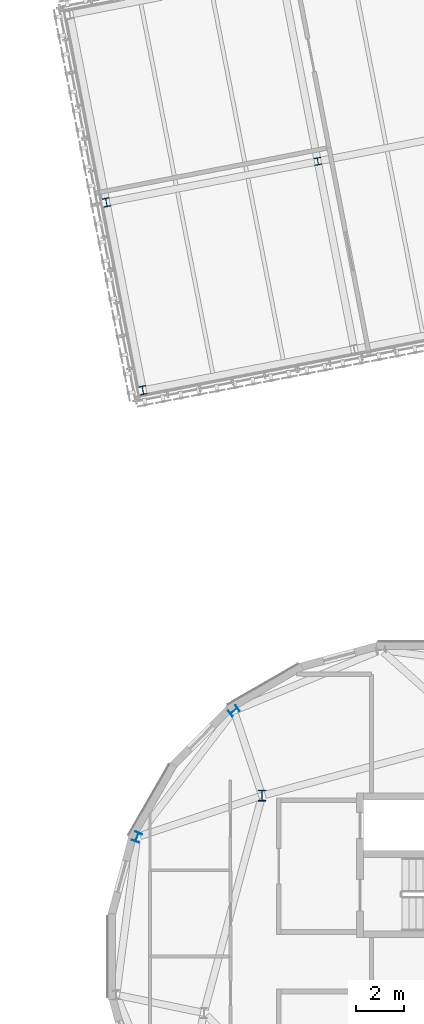
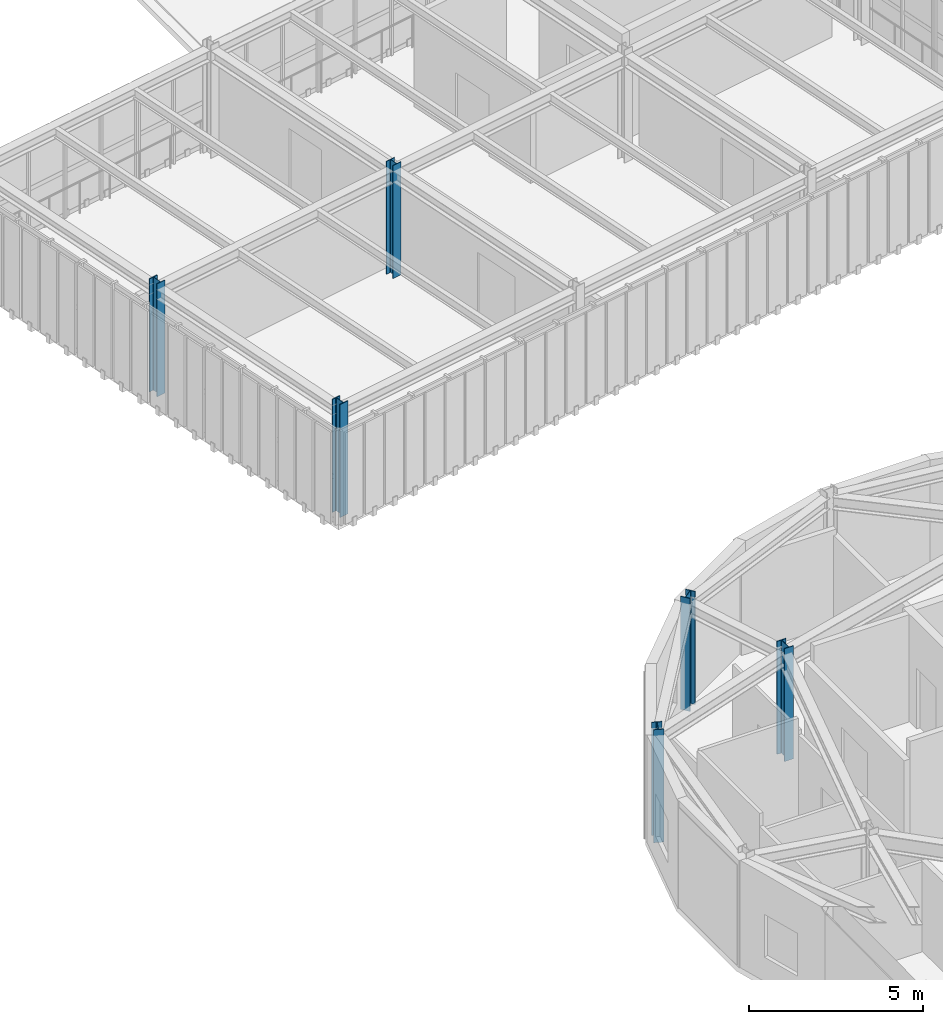
# One storey, part 4 of 44: 6 columns.
"""IFC4 building model written with IfcOpenShell, lengths in metres."""

from ifc_helpers import new_model, si_unit, direction, frame, origin, origin_2d, place, context, subcontext, project, spatial, i_section, extrude, material, material_profile, profile_set, type_object, element, save


model = new_model("IFC4")

# Units and contexts
model_context = context("Model", 3, precision=1e-05, world=origin(), true_north=direction((0.0, 1.0)))
body_context = subcontext(model_context, "Body", "Model", "MODEL_VIEW")
ifc_project = project(units=[si_unit("LENGTHUNIT", "METRE"), si_unit("AREAUNIT", "SQUARE_METRE"), si_unit("VOLUMEUNIT", "CUBIC_METRE"), si_unit("PLANEANGLEUNIT", "RADIAN"), si_unit("MASSUNIT", "GRAM", prefix="KILO")], contexts=[model_context])

# Site, building, storey
site_placement = place(None, origin())
site = spatial("IfcSite", under=ifc_project, at=site_placement, CompositionType="ELEMENT")
building_placement = place(site_placement, origin())
building = spatial("IfcBuilding", under=site, at=building_placement, Name="Varnklinge Art Gallery", CompositionType="ELEMENT")
storey_placement = place(building_placement, frame((0.0, 0.0, 13.679931640625)))
storey = spatial("IfcBuildingStorey", under=building, at=storey_placement, Name="L03", CompositionType="ELEMENT", Elevation=13.679931640625)

# Columns
ifc_material_1 = material(Name="Steel S355", Category="steel")
ifc_material_profile_1 = material_profile(ifc_material_1, i_section(OverallWidth=0.300048828125, OverallDepth=0.449951171875, WebThickness=0.013916015625, FlangeThickness=0.02587890625, FilletRadius=0.027099609375, at=origin_2d()), Name="HEB 450")
ifc_profile_set_1 = profile_set([ifc_material_profile_1], Name="Steel S355")
column_type_1 = type_object("IfcColumnType", Name="COL-06", PredefinedType="COLUMN", material=ifc_profile_set_1)
column_1_placement = place(storey_placement, frame((68.853271484375, 45.146728515625, 0.0), z_axis=(0.0, 0.0, 1.0), x_axis=(1.0, 0.0, 0.0)))
element("IfcColumn", 1, at=column_1_placement, inside=storey, type_object=column_type_1, Name="L03 Column V4CI-3", PredefinedType="COLUMN", context=body_context, shape_type="SweptSolid", body=[
    extrude(i_section(OverallWidth=0.300048828125, OverallDepth=0.449951171875, WebThickness=0.013916015625, FlangeThickness=0.02587890625, FilletRadius=0.027099609375, at=origin_2d()), origin(), (0.0, 0.0, 1.0), 3.9599609375),
])
ifc_material_2 = material(Name="Steel S355", Category="steel")
ifc_material_profile_2 = material_profile(ifc_material_2, i_section(OverallWidth=0.300048828125, OverallDepth=0.300048828125, WebThickness=0.010986328125, FlangeThickness=0.01904296875, FilletRadius=0.027099609375, at=origin_2d()), Name="HEB 300")
ifc_profile_set_2 = profile_set([ifc_material_profile_2], Name="Steel S355")
column_type_2 = type_object("IfcColumnType", Name="COL-10", PredefinedType="COLUMN", material=ifc_profile_set_2)
column_2_placement = place(storey_placement, frame((71.180908203125, 71.660400390625, 0.0), z_axis=(0.0, 0.0, 1.0), x_axis=(0.981627183448, 0.190808995377, 0.0)))
element("IfcColumn", 2, at=column_2_placement, inside=storey, type_object=column_type_2, Name="L03 Column V4BC-2-2", PredefinedType="COLUMN", context=body_context, shape_type="SweptSolid", body=[
    extrude(i_section(OverallWidth=0.300048828125, OverallDepth=0.300048828125, WebThickness=0.010986328125, FlangeThickness=0.01904296875, FilletRadius=0.027099609375, at=origin_2d()), origin(), (0.0, 0.0, 1.0), 3.9599609375),
])
ifc_material_3 = material(Name="Steel S355", Category="steel")
ifc_material_profile_3 = material_profile(ifc_material_3, i_section(OverallWidth=0.300048828125, OverallDepth=0.39990234375, WebThickness=0.013427734375, FlangeThickness=0.02392578125, FilletRadius=0.027099609375, at=origin_2d()), Name="HEB 400")
ifc_profile_set_3 = profile_set([ifc_material_profile_3], Name="Steel S355")
column_type_3 = type_object("IfcColumnType", Name="COL-E3", PredefinedType="COLUMN", material=ifc_profile_set_3)
for number, where, z_axis, x_axis, name in (
    (3, (67.677490234375, 48.694580078125, 0.0), (0.0, 0.0, 1.0), (-0.608761429009, 0.793353340291, 0.0), "L03 Column V4CP-05"),
    (4, (63.628173828125, 43.41748046875, 0.0), (0.0, 0.0, 1.0), (-0.923879532511, 0.382683432365, 0.0), "L03 Column V4CP-06"),
):
    element("IfcColumn", number, at=place(storey_placement, frame(where, z_axis=z_axis, x_axis=x_axis)), inside=storey, type_object=column_type_3, Name=name, PredefinedType="COLUMN", context=body_context, shape_type="SweptSolid", body=[
        extrude(i_section(OverallWidth=0.300048828125, OverallDepth=0.39990234375, WebThickness=0.013427734375, FlangeThickness=0.02392578125, FilletRadius=0.027099609375, at=origin_2d()), origin(), (0.0, 0.0, 1.0), 3.9599609375),
    ])
ifc_material_4 = material(Name="Steel S355", Category="steel")
ifc_material_profile_4 = material_profile(ifc_material_4, i_section(OverallWidth=0.300048828125, OverallDepth=0.360107421875, WebThickness=0.012451171875, FlangeThickness=0.0224609375, FilletRadius=0.027099609375, at=origin_2d()), Name="HEB 360")
ifc_profile_set_4 = profile_set([ifc_material_profile_4], Name="Steel S355")
column_type_4 = type_object("IfcColumnType", Name="COL-E4", PredefinedType="COLUMN", material=ifc_profile_set_4)
for number, where, z_axis, x_axis, name in (
    (5, (63.872802734375, 62.090087890625, 0.0), (0.0, 0.0, 1.0), (0.981627183448, 0.190808995377, 0.0), "L03 Column V4BC-1-1"),
    (6, (62.34619140625, 69.943115234375, 0.0), (0.0, 0.0, 1.0), (0.981627183448, 0.190808995377, 0.0), "L03 Column V4BC-1-2"),
):
    element("IfcColumn", number, at=place(storey_placement, frame(where, z_axis=z_axis, x_axis=x_axis)), inside=storey, type_object=column_type_4, Name=name, PredefinedType="COLUMN", context=body_context, shape_type="SweptSolid", body=[
        extrude(i_section(OverallWidth=0.300048828125, OverallDepth=0.360107421875, WebThickness=0.012451171875, FlangeThickness=0.0224609375, FilletRadius=0.027099609375, at=origin_2d()), origin(), (0.0, 0.0, 1.0), 3.9599609375),
    ])

save(model, "model.ifc")
